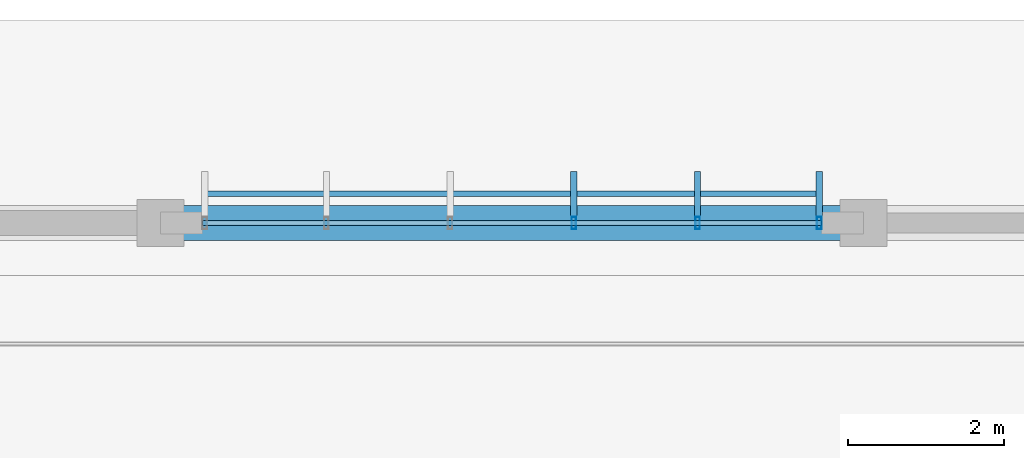
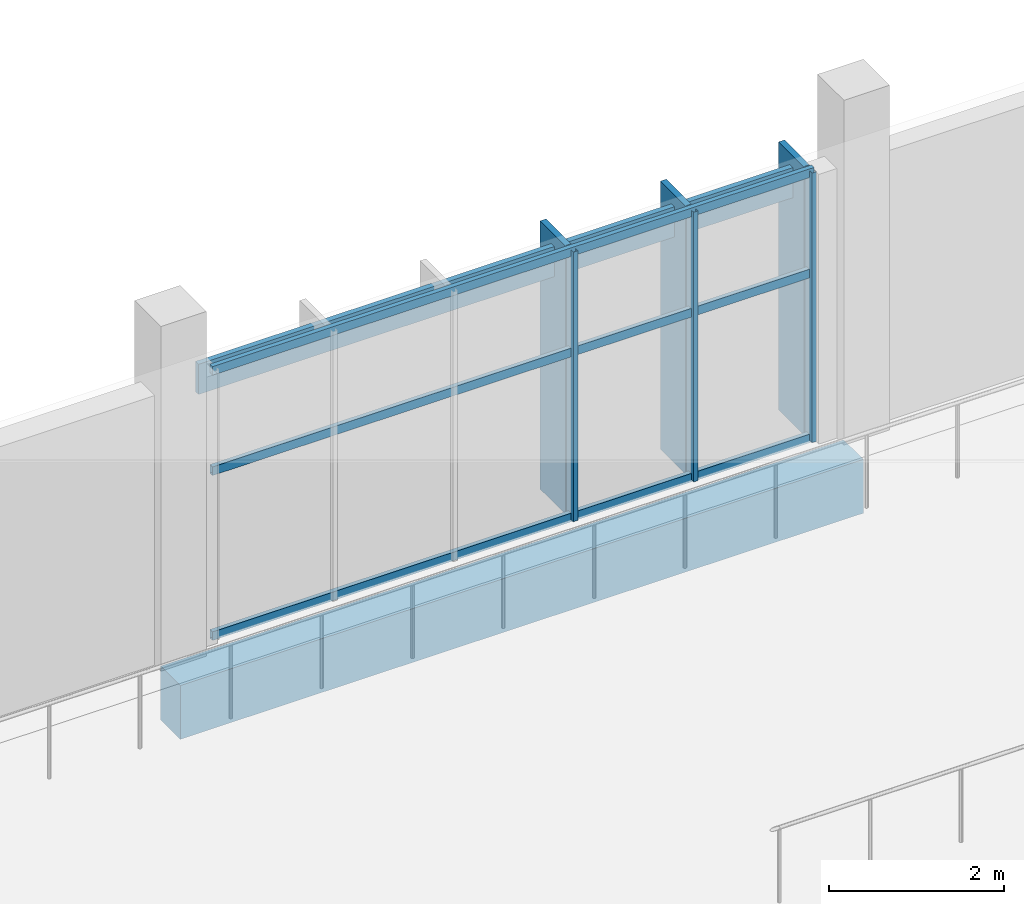
# One storey, part 104 of 151: 10 members, 1 beam, 1 element without a shape of its own.
"""IFC4 building model written with IfcOpenShell, lengths in metres."""

from ifc_helpers import new_model, si_unit, direction, frame, origin, origin_2d, place, context, subcontext, project, spatial, rectangle, hollow_rectangle, extrude, material, material_profile, profile_set, type_object, element, aggregate, save


model = new_model("IFC4")

# Units and contexts
model_context = context("Model", 3, precision=1e-05, world=origin(), true_north=direction((0.0, 1.0)))
body_context = subcontext(model_context, "Body", "Model", "MODEL_VIEW")
ifc_project = project(units=[si_unit("LENGTHUNIT", "METRE"), si_unit("AREAUNIT", "SQUARE_METRE"), si_unit("VOLUMEUNIT", "CUBIC_METRE"), si_unit("PLANEANGLEUNIT", "RADIAN"), si_unit("MASSUNIT", "GRAM", prefix="KILO")], contexts=[model_context])

# Site, building, storey
site_placement = place(None, origin())
site = spatial("IfcSite", under=ifc_project, at=site_placement, CompositionType="ELEMENT")
building_placement = place(site_placement, origin())
building = spatial("IfcBuilding", under=site, at=building_placement, Name="Chiffa Square Polytechnic", CompositionType="ELEMENT")
storey_placement = place(building_placement, origin())
storey = spatial("IfcBuildingStorey", under=building, at=storey_placement, Name="L00", CompositionType="ELEMENT", Elevation=0.0)

# Beam
ifc_material_1 = material(Name="Concrete C35/45", Category="concrete")
ifc_material_profile_1 = material_profile(ifc_material_1, rectangle(XDim=0.449951171875, YDim=0.75, at=origin_2d()), Name="RC 450x750")
ifc_profile_set_1 = profile_set([ifc_material_profile_1], Name="Concrete C35/45")
beam_type = type_object("IfcBeamType", Name="BM-RC-450X750", PredefinedType="BEAM", material=ifc_profile_set_1)
beam_placement = place(storey_placement, frame((130.199951171875, 130.800048828125, -0.72509765625), z_axis=(1.0, 0.0, 0.0), x_axis=(0.0, 1.0, 0.0)))
element("IfcBeam", 1, at=beam_placement, inside=storey, type_object=beam_type, Name="Primary floor girder BM-V5-L00-X-1302-1308", PredefinedType="BEAM", context=body_context, shape_type="SweptSolid", body=[
    extrude(rectangle(XDim=0.449951171875, YDim=0.75, at=origin_2d()), origin(), (0.0, 0.0, 1.0), 9.0),
])

# Curtain wall, members
ifc_material_2 = material(Name="Aluminium EN AW-6060 T66 and glulam shading", Category="wood")
curtain_wall_type = type_object("IfcCurtainWallType", Name="CW-VERT-540X440", PredefinedType="USERDEFINED", material=ifc_material_2)
curtain_wall_placement = place(storey_placement, origin())
curtain_wall = element("IfcCurtainWall", 2, at=curtain_wall_placement, inside=storey, type_object=curtain_wall_type, Name="Curtain wall CW-V5-L00-191", ObjectType="CURTAIN WALL", PredefinedType="USERDEFINED")
ifc_material_3 = material(Name="Aluminium EN AW-6060 T66", Category="aluminium")
ifc_material_profile_2 = material_profile(ifc_material_3, hollow_rectangle(XDim=0.06005859375, YDim=0.159912109375, WallThickness=0.00390625, at=origin_2d()), Name="ALU 60x160x4")
ifc_profile_set_2 = profile_set([ifc_material_profile_2], Name="Aluminium EN AW-6060 T66")
member_type_1 = type_object("IfcMemberType", Name="CWM-ALU-65X150", PredefinedType="MULLION", material=ifc_profile_set_2)
member_1_placement = place(storey_placement, frame((138.635009765625, 130.800048828125, 0.0), z_axis=(0.0, 0.0, 1.0), x_axis=(1.0, 0.0, 0.0)))
member_1 = element("IfcMember", 3, at=member_1_placement, type_object=member_type_1, Name="Curtain wall mullion CW-V5-L00-191-M00", PredefinedType="MULLION", context=body_context, shape_type="SweptSolid", body=[
    extrude(hollow_rectangle(XDim=0.06005859375, YDim=0.159912109375, WallThickness=0.00390625, at=origin_2d()), origin(), (0.0, 0.0, 1.0), 3.7548828125),
])
member_2_placement = place(storey_placement, frame((137.075927734375, 130.800048828125, 0.0), z_axis=(0.0, 0.0, 1.0), x_axis=(1.0, 0.0, 0.0)))
member_2 = element("IfcMember", 4, at=member_2_placement, type_object=member_type_1, Name="Curtain wall mullion CW-V5-L00-191-M01", PredefinedType="MULLION", context=body_context, shape_type="SweptSolid", body=[
    extrude(hollow_rectangle(XDim=0.06005859375, YDim=0.159912109375, WallThickness=0.00390625, at=origin_2d()), origin(), (0.0, 0.0, 1.0), 3.7548828125),
])
member_3_placement = place(storey_placement, frame((135.491943359375, 130.800048828125, 0.0), z_axis=(0.0, 0.0, 1.0), x_axis=(1.0, 0.0, 0.0)))
member_3 = element("IfcMember", 5, at=member_3_placement, type_object=member_type_1, Name="Curtain wall mullion CW-V5-L00-191-M02", PredefinedType="MULLION", context=body_context, shape_type="SweptSolid", body=[
    extrude(hollow_rectangle(XDim=0.06005859375, YDim=0.159912109375, WallThickness=0.00390625, at=origin_2d()), origin(), (0.0, 0.0, 1.0), 3.7548828125),
])
ifc_material_4 = material(Name="Glulam GL28h", Category="wood")
ifc_material_profile_3 = material_profile(ifc_material_4, rectangle(XDim=0.080078125, YDim=0.580078125, at=origin_2d()), Name="GL28h 80x580")
ifc_profile_set_3 = profile_set([ifc_material_profile_3], Name="Glulam GL28h")
member_type_2 = type_object("IfcMemberType", Name="CWM-GL-80X580", PredefinedType="MULLION", material=ifc_profile_set_3)
member_4_placement = place(storey_placement, frame((138.635009765625, 131.172119140625, 0.010009765625), z_axis=(0.0, 0.0, 1.0), x_axis=(-1.0, 0.0, 0.0)))
member_4 = element("IfcMember", 6, at=member_4_placement, type_object=member_type_2, Name="Exterior glulam solar fin CW-V5-L00-191-FN00", PredefinedType="MULLION", context=body_context, shape_type="SweptSolid", body=[
    extrude(rectangle(XDim=0.080078125, YDim=0.580078125, at=origin_2d()), origin(), (0.0, 0.0, 1.0), 3.735107421875),
])
member_5_placement = place(storey_placement, frame((137.075927734375, 131.172119140625, 0.010009765625), z_axis=(0.0, 0.0, 1.0), x_axis=(-1.0, 0.0, 0.0)))
member_5 = element("IfcMember", 7, at=member_5_placement, type_object=member_type_2, Name="Exterior glulam solar fin CW-V5-L00-191-FN01", PredefinedType="MULLION", context=body_context, shape_type="SweptSolid", body=[
    extrude(rectangle(XDim=0.080078125, YDim=0.580078125, at=origin_2d()), origin(), (0.0, 0.0, 1.0), 3.735107421875),
])
member_6_placement = place(storey_placement, frame((135.491943359375, 131.172119140625, 0.010009765625), z_axis=(0.0, 0.0, 1.0), x_axis=(-1.0, 0.0, 0.0)))
member_6 = element("IfcMember", 8, at=member_6_placement, type_object=member_type_2, Name="Exterior glulam solar fin CW-V5-L00-191-FN02", PredefinedType="MULLION", context=body_context, shape_type="SweptSolid", body=[
    extrude(rectangle(XDim=0.080078125, YDim=0.580078125, at=origin_2d()), origin(), (0.0, 0.0, 1.0), 3.735107421875),
])
ifc_material_profile_4 = material_profile(ifc_material_3, hollow_rectangle(XDim=0.06005859375, YDim=0.1201171875, WallThickness=0.00390625, at=origin_2d()), Name="ALU 60x120x4")
ifc_profile_set_4 = profile_set([ifc_material_profile_4], Name="Aluminium EN AW-6060 T66")
member_type_3 = type_object("IfcMemberType", Name="CWT-ALU-65X120", PredefinedType="USERDEFINED", material=ifc_profile_set_4)
member_7_placement = place(storey_placement, frame((138.662109375, 130.800048828125, 0.030029296875), z_axis=(-1.0, 0.0, 0.0), x_axis=(0.0, -1.0, 0.0)))
member_7 = element("IfcMember", 9, at=member_7_placement, type_object=member_type_3, Name="Curtain wall transom CW-V5-L00-191-T01", ObjectType="TRANSOM", PredefinedType="USERDEFINED", context=body_context, shape_type="SweptSolid", body=[
    extrude(hollow_rectangle(XDim=0.06005859375, YDim=0.1201171875, WallThickness=0.00390625, at=origin_2d()), origin(), (0.0, 0.0, 1.0), 7.924072265625),
])
member_8_placement = place(storey_placement, frame((138.662109375, 130.800048828125, 2.327880859375), z_axis=(-1.0, 0.0, 0.0), x_axis=(0.0, -1.0, 0.0)))
member_8 = element("IfcMember", 10, at=member_8_placement, type_object=member_type_3, Name="Curtain wall transom CW-V5-L00-191-T02", ObjectType="TRANSOM", PredefinedType="USERDEFINED", context=body_context, shape_type="SweptSolid", body=[
    extrude(hollow_rectangle(XDim=0.06005859375, YDim=0.1201171875, WallThickness=0.00390625, at=origin_2d()), origin(), (0.0, 0.0, 1.0), 7.924072265625),
])
member_9_placement = place(storey_placement, frame((138.662109375, 130.800048828125, 3.72509765625), z_axis=(-1.0, 0.0, 0.0), x_axis=(0.0, -1.0, 0.0)))
member_9 = element("IfcMember", 11, at=member_9_placement, type_object=member_type_3, Name="Curtain wall transom CW-V5-L00-191-T03", ObjectType="TRANSOM", PredefinedType="USERDEFINED", context=body_context, shape_type="SweptSolid", body=[
    extrude(hollow_rectangle(XDim=0.06005859375, YDim=0.1201171875, WallThickness=0.00390625, at=origin_2d()), origin(), (0.0, 0.0, 1.0), 7.924072265625),
])
ifc_material_profile_5 = material_profile(ifc_material_4, rectangle(XDim=0.070068359375, YDim=0.419921875, at=origin_2d()), Name="GL28h 70x420")
ifc_profile_set_5 = profile_set([ifc_material_profile_5], Name="Glulam GL28h")
member_type_4 = type_object("IfcMemberType", Name="CWT-GL-70X420", PredefinedType="USERDEFINED", material=ifc_profile_set_5)
member_10_placement = place(storey_placement, frame((138.635009765625, 131.172119140625, 3.375), z_axis=(-1.0, 0.0, 0.0), x_axis=(0.0, -1.0, 0.0)))
member_10 = element("IfcMember", 12, at=member_10_placement, type_object=member_type_4, Name="Exterior glulam brise-soleil CW-V5-L00-191-BS01", ObjectType="TRANSOM", PredefinedType="USERDEFINED", context=body_context, shape_type="SweptSolid", body=[
    extrude(rectangle(XDim=0.070068359375, YDim=0.419921875, at=origin_2d()), origin(), (0.0, 0.0, 1.0), 7.8701171875),
])
aggregate(curtain_wall, [member_1, member_4, member_2, member_5, member_3, member_6, member_7, member_8, member_9, member_10])

save(model, "model.ifc")
